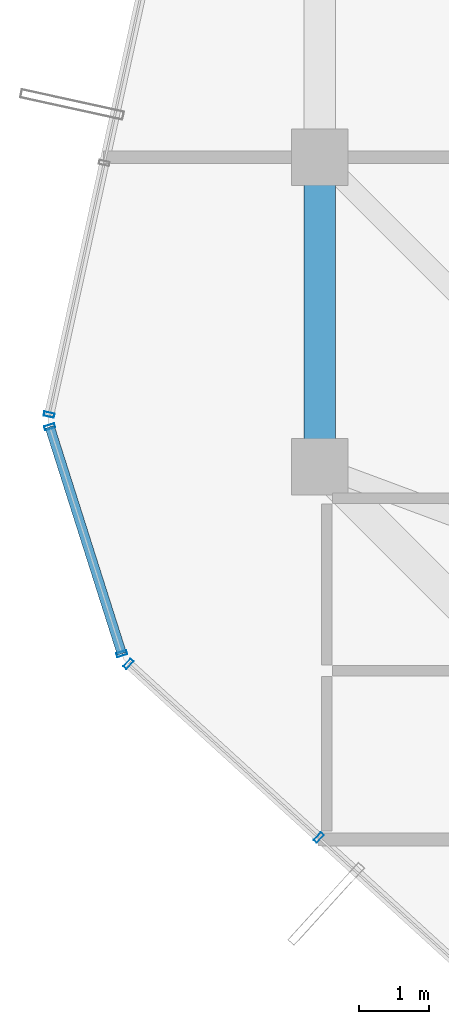
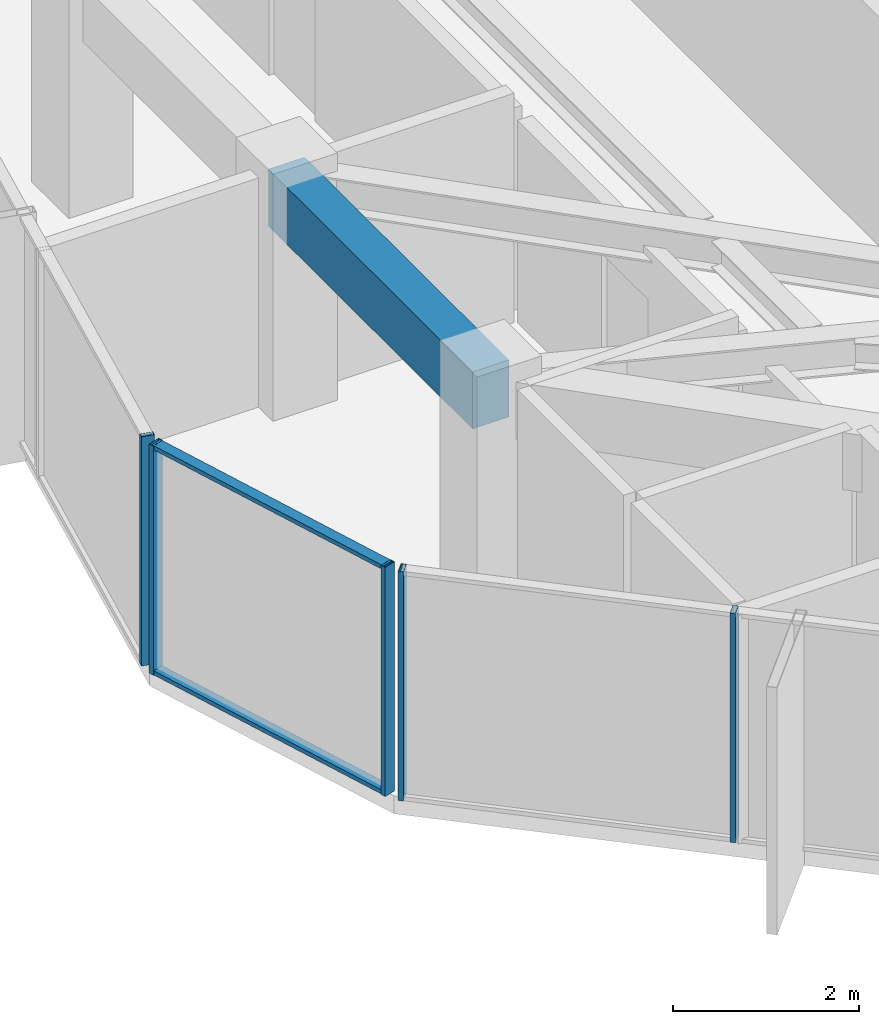
# One storey, part 5 of 28: 7 members, 1 beam, 3 elements without a shape of their own.
"""IFC4 building model written with IfcOpenShell, lengths in metres."""

from ifc_helpers import new_model, si_unit, direction, frame, origin, origin_2d, place, context, subcontext, project, spatial, rectangle, hollow_rectangle, extrude, source, transform, mapped, material, layer, layer_set, material_profile, profile_set, type_object, element, aggregate, save


model = new_model("IFC4")

# Units and contexts
model_context = context("Model", 3, precision=1e-05, world=origin(), true_north=direction((0.0, 1.0)))
body_context = subcontext(model_context, "Body", "Model", "MODEL_VIEW")
ifc_project = project(units=[si_unit("LENGTHUNIT", "METRE"), si_unit("AREAUNIT", "SQUARE_METRE"), si_unit("VOLUMEUNIT", "CUBIC_METRE"), si_unit("PLANEANGLEUNIT", "RADIAN"), si_unit("MASSUNIT", "GRAM", prefix="KILO")], contexts=[model_context])

# Site, building, storey
site_placement = place(None, origin())
site = spatial("IfcSite", under=ifc_project, at=site_placement, CompositionType="ELEMENT")
building_placement = place(site_placement, origin())
building = spatial("IfcBuilding", under=site, at=building_placement, Name="Veraguas Prism Commons", CompositionType="ELEMENT")
storey_placement = place(building_placement, frame((0.0, 0.0, 251.25)))
storey = spatial("IfcBuildingStorey", under=building, at=storey_placement, Name="L71", CompositionType="ELEMENT", Elevation=251.25)

# Beam
ifc_material_1 = material(Name="Concrete C50/60", Category="concrete")
ifc_material_profile_1 = material_profile(ifc_material_1, rectangle(XDim=0.449951171875, YDim=0.75, at=origin_2d()), Name="RC450X750")
ifc_profile_set_1 = profile_set([ifc_material_profile_1], Name="Concrete C50/60")
beam_type = type_object("IfcBeamType", Name="Perimeter Spandrel Upper RC 450x750", PredefinedType="SPANDREL", material=ifc_profile_set_1)
beam_placement = place(storey_placement, frame((10.199951171875, 24.0, 2.639892578125), z_axis=(0.0, -1.0, 0.0), x_axis=(1.0, 0.0, 0.0)))
element("IfcBeam", 1, at=beam_placement, inside=storey, type_object=beam_type, Name="Perimeter Spandrel Beam L71-SP08", PredefinedType="SPANDREL", context=body_context, shape_type="SweptSolid", body=[
    extrude(rectangle(XDim=0.449951171875, YDim=0.75, at=origin_2d()), origin(), (0.0, 0.0, 1.0), 4.39990234375),
])

# Curtain wall, member
ifc_material_2 = material(Name="Anodised aluminium EN AW-6063 T6", Category="aluminium")
ifc_layer = layer(ifc_material_2, 0.14990234375, Name="Unitised Flush Curtain Wall Zone 4", Category="aluminium")
ifc_layer_set = layer_set([ifc_layer], Name="Anodised aluminium EN AW-6063 T6")
curtain_wall_type = type_object("IfcCurtainWallType", Name="Unitised Flush Curtain Wall Zone 4", PredefinedType="NOTDEFINED", material=ifc_layer_set)
curtain_wall_1_placement = place(storey_placement, origin())
curtain_wall_1 = element("IfcCurtainWall", 2, at=curtain_wall_1_placement, inside=storey, type_object=curtain_wall_type, Name="Tower Facade Curtain Wall L71-F3", PredefinedType="NOTDEFINED")
ifc_material_profile_2 = material_profile(ifc_material_2, hollow_rectangle(XDim=0.06005859375, YDim=0.14990234375, WallThickness=0.0029296875, at=origin_2d()), Name="AL60X150X3")
ifc_profile_set_2 = profile_set([ifc_material_profile_2], Name="Anodised aluminium EN AW-6063 T6")
member_type_1 = type_object("IfcMemberType", Name="Curtain Wall Mullion Upper AL 60x150x3", PredefinedType="MULLION", material=ifc_profile_set_2)
shared_shape_1 = source(origin(), body_context, "Body", "SweptSolid", [
    extrude(hollow_rectangle(XDim=0.06005859375, YDim=0.14990234375, WallThickness=0.0029296875, at=origin_2d()), origin(), (0.0, 0.0, 1.0), 3.014892578125),
])
member_1_placement = place(storey_placement, frame((6.35302734375, 20.33935546875, 0.0), z_axis=(0.0, 0.0, 1.0), x_axis=(-0.214053429014, -0.976821953852, 0.0)))
member_1 = element("IfcMember", 3, at=member_1_placement, type_object=member_type_1, Name="CW-Z4 Mullion 5", PredefinedType="MULLION", context=body_context, shape_type="MappedRepresentation", body=[
    mapped(shared_shape_1, transform((0.0, 0.0, 0.0), scale=1.0)),
])
aggregate(curtain_wall_1, [member_1])

# Curtain wall, members
curtain_wall_2_placement = place(storey_placement, origin())
curtain_wall_2 = element("IfcCurtainWall", 4, at=curtain_wall_2_placement, inside=storey, type_object=curtain_wall_type, Name="Tower Facade Curtain Wall L71-F4", PredefinedType="NOTDEFINED")
member_2_placement = place(storey_placement, frame((7.479736328125, 16.7958984375, 0.0), z_axis=(0.0, 0.0, 1.0), x_axis=(0.738925912503, -0.673786684219, 0.0)))
member_2 = element("IfcMember", 5, at=member_2_placement, type_object=member_type_1, Name="CW-Z4 Mullion 1", PredefinedType="MULLION", context=body_context, shape_type="MappedRepresentation", body=[
    mapped(shared_shape_1, transform((0.0, 0.0, 0.0), scale=1.0)),
])
member_3_placement = place(storey_placement, frame((10.185302734375, 14.32861328125, 0.0), z_axis=(0.0, 0.0, 1.0), x_axis=(0.738925912503, -0.673786684219, 0.0)))
member_3 = element("IfcMember", 6, at=member_3_placement, type_object=member_type_1, Name="CW-Z4 Mullion 2", PredefinedType="MULLION", context=body_context, shape_type="MappedRepresentation", body=[
    mapped(shared_shape_1, transform((0.0, 0.0, 0.0), scale=1.0)),
])
aggregate(curtain_wall_2, [member_2, member_3])

curtain_wall_3_placement = place(storey_placement, origin())
curtain_wall_3 = element("IfcCurtainWall", 7, at=curtain_wall_3_placement, inside=storey, type_object=curtain_wall_type, Name="Chamfer Curtain Wall L71-C4", PredefinedType="NOTDEFINED")
member_4_placement = place(storey_placement, frame((6.361083984375, 20.165771484375, 0.0), z_axis=(0.0, 0.0, 1.0), x_axis=(0.303011983864, -0.952986745781, 0.0)))
member_4 = element("IfcMember", 8, at=member_4_placement, type_object=member_type_1, Name="CW-Z4 Mullion 1", PredefinedType="MULLION", context=body_context, shape_type="MappedRepresentation", body=[
    mapped(shared_shape_1, transform((0.0, 0.0, 0.0), scale=1.0)),
])
member_5_placement = place(storey_placement, frame((7.385986328125, 16.9423828125, 0.0), z_axis=(0.0, 0.0, 1.0), x_axis=(0.303011983864, -0.952986745781, 0.0)))
member_5 = element("IfcMember", 9, at=member_5_placement, type_object=member_type_1, Name="CW-Z4 Mullion 2", PredefinedType="MULLION", context=body_context, shape_type="MappedRepresentation", body=[
    mapped(shared_shape_1, transform((0.0, 0.0, 0.0), scale=1.0)),
])
ifc_material_profile_3 = material_profile(ifc_material_2, hollow_rectangle(XDim=0.054931640625, YDim=0.135009765625, WallThickness=0.0029296875, at=origin_2d()), Name="AL55X135X3")
ifc_profile_set_3 = profile_set([ifc_material_profile_3], Name="Anodised aluminium EN AW-6063 T6")
member_type_2 = type_object("IfcMemberType", Name="Curtain Wall Transom Standard AL 55x135x3", PredefinedType="USERDEFINED", material=ifc_profile_set_3)
shared_shape_2 = source(origin(), body_context, "Body", "SweptSolid", [
    extrude(hollow_rectangle(XDim=0.054931640625, YDim=0.135009765625, WallThickness=0.0029296875, at=origin_2d()), origin(), (0.0, 0.0, 1.0), 3.38232421875),
])
member_6_placement = place(storey_placement, frame((6.361083984375, 20.165771484375, 0.027587890625), z_axis=(0.303009998407, -0.952987377076, 0.0), x_axis=(0.0, 0.0, 1.0)))
member_6 = element("IfcMember", 10, at=member_6_placement, type_object=member_type_2, Name="CW-Z4 Transom 1", ObjectType="TRANSOM", PredefinedType="USERDEFINED", context=body_context, shape_type="MappedRepresentation", body=[
    mapped(shared_shape_2, transform((0.0, 0.0, 0.0), scale=1.0)),
])
member_7_placement = place(storey_placement, frame((6.361083984375, 20.165771484375, 2.987548828125), z_axis=(0.303009998407, -0.952987377076, 0.0), x_axis=(0.0, 0.0, 1.0)))
member_7 = element("IfcMember", 11, at=member_7_placement, type_object=member_type_2, Name="CW-Z4 Transom 2", ObjectType="TRANSOM", PredefinedType="USERDEFINED", context=body_context, shape_type="MappedRepresentation", body=[
    mapped(shared_shape_2, transform((0.0, 0.0, 0.0), scale=1.0)),
])
aggregate(curtain_wall_3, [member_4, member_5, member_6, member_7])

save(model, "model.ifc")
